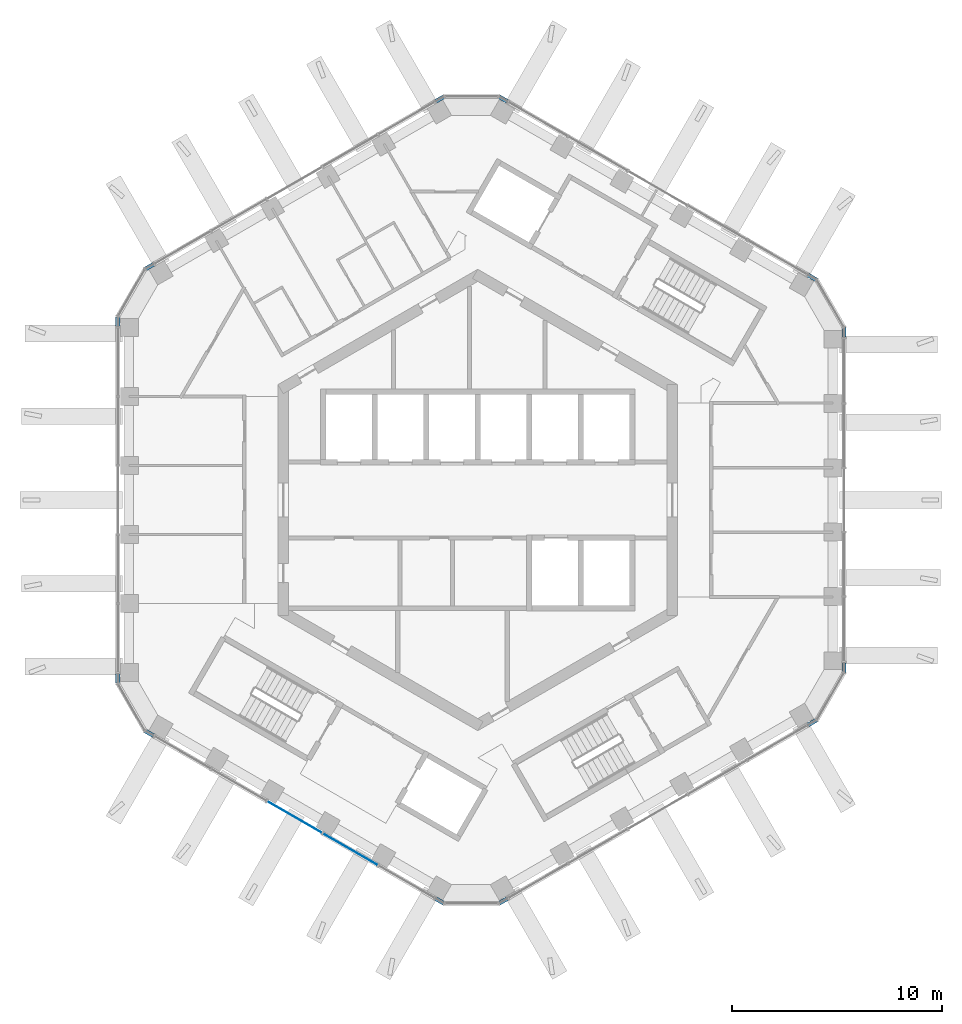
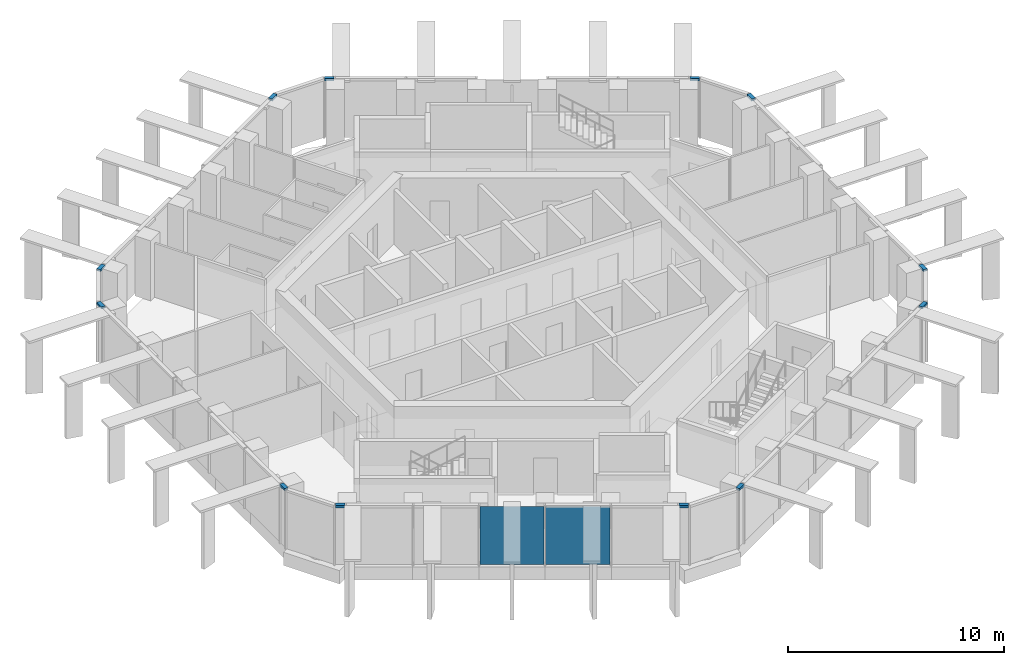
# One storey, part 6 of 19: 12 members, 2 plates, 7 elements without a shape of their own.
"""IFC4 building model written with IfcOpenShell, lengths in metres."""

from ifc_helpers import new_model, si_unit, direction, frame, origin, origin_2d, place, context, subcontext, project, spatial, rectangle, extrude, material, layer, layer_set, material_profile, profile_set, type_object, element, aggregate, save


model = new_model("IFC4")

# Units and contexts
model_context = context("Model", 3, precision=1e-05, world=origin(), true_north=direction((0.0, 1.0)))
body_context = subcontext(model_context, "Body", "Model", "MODEL_VIEW")
ifc_project = project(units=[si_unit("LENGTHUNIT", "METRE"), si_unit("AREAUNIT", "SQUARE_METRE"), si_unit("VOLUMEUNIT", "CUBIC_METRE"), si_unit("PLANEANGLEUNIT", "RADIAN"), si_unit("MASSUNIT", "GRAM", prefix="KILO")], contexts=[model_context])

# Site, building, storey
site_placement = place(None, origin())
site = spatial("IfcSite", under=ifc_project, at=site_placement, CompositionType="ELEMENT")
building_placement = place(site_placement, origin())
building = spatial("IfcBuilding", under=site, at=building_placement, Name="Ayvan Gate Tower", CompositionType="ELEMENT")
storey_placement = place(building_placement, frame((0.0, 0.0, 235.89990234375)))
storey = spatial("IfcBuildingStorey", under=building, at=storey_placement, Name="L63", CompositionType="ELEMENT", Elevation=235.89990234375)

# Curtain wall, members
ifc_material_1 = material(Name="Bronze anodised aluminium", Category="aluminium")
ifc_layer_1 = layer(ifc_material_1, 0.199951171875)
ifc_layer_set_1 = layer_set([ifc_layer_1], Name="Bronze anodised aluminium")
curtain_wall_type_1 = type_object("IfcCurtainWallType", Name="Stick curtain wall CW-6", PredefinedType="NOTDEFINED", material=ifc_layer_set_1)
curtain_wall_1_placement = place(storey_placement, origin())
curtain_wall_1 = element("IfcCurtainWall", 1, at=curtain_wall_1_placement, inside=storey, type_object=curtain_wall_type_1, Name="Stick curtain wall CW-6 L63", PredefinedType="NOTDEFINED")
ifc_material_profile = material_profile(ifc_material_1, rectangle(XDim=0.199951171875, YDim=0.1201171875, at=origin_2d()), Name="Stick curtain wall CW-6 transom 200 x 120")
ifc_profile_set = profile_set([ifc_material_profile], Name="Bronze anodised aluminium")
member_type = type_object("IfcMemberType", Name="Stick curtain wall CW-6 transom 200 x 120", PredefinedType="USERDEFINED", material=ifc_profile_set)
member_1_placement = place(storey_placement, frame((-15.4130859375, 11.20751953125, 3.340087890625), z_axis=(-0.865896406789, -0.500223362819, 0.0), x_axis=(0.500223362819, -0.865896406789, 0.0)))
member_1 = element("IfcMember", 2, at=member_1_placement, type_object=member_type, Name="CW-6 transom 1", ObjectType="TRANSOM", PredefinedType="USERDEFINED", context=body_context, shape_type="SweptSolid", body=[
    extrude(rectangle(XDim=0.199951171875, YDim=0.1201171875, at=origin_2d()), origin(), (0.0, 0.0, 1.0), 0.449951171875),
])
member_2_placement = place(storey_placement, frame((-17.11572265625, 8.70849609375, 3.340087890625), z_axis=(0.0, -1.0, 0.0), x_axis=(1.0, 0.0, 0.0)))
member_2 = element("IfcMember", 3, at=member_2_placement, type_object=member_type, Name="CW-6 transom 3", ObjectType="TRANSOM", PredefinedType="USERDEFINED", context=body_context, shape_type="SweptSolid", body=[
    extrude(rectangle(XDim=0.199951171875, YDim=0.1201171875, at=origin_2d()), origin(), (0.0, 0.0, 1.0), 0.4501953125),
])
aggregate(curtain_wall_1, [member_1, member_2])

curtain_wall_2_placement = place(storey_placement, origin())
curtain_wall_2 = element("IfcCurtainWall", 4, at=curtain_wall_2_placement, inside=storey, type_object=curtain_wall_type_1, Name="Stick curtain wall CW-6 L63", PredefinedType="NOTDEFINED")
member_3_placement = place(storey_placement, frame((-17.11572265625, -8.25830078125, 3.340087890625), z_axis=(0.0, -1.0, 0.0), x_axis=(1.0, 0.0, 0.0)))
member_3 = element("IfcMember", 5, at=member_3_placement, type_object=member_type, Name="CW-6 transom 1", ObjectType="TRANSOM", PredefinedType="USERDEFINED", context=body_context, shape_type="SweptSolid", body=[
    extrude(rectangle(XDim=0.199951171875, YDim=0.1201171875, at=origin_2d()), origin(), (0.0, 0.0, 1.0), 0.4501953125),
])
member_4_placement = place(storey_placement, frame((-15.802734375, -10.982421875, 3.340087890625), z_axis=(0.865896406789, -0.500223362819, 0.0), x_axis=(0.500223362819, 0.865896406789, 0.0)))
member_4 = element("IfcMember", 6, at=member_4_placement, type_object=member_type, Name="CW-6 transom 3", ObjectType="TRANSOM", PredefinedType="USERDEFINED", context=body_context, shape_type="SweptSolid", body=[
    extrude(rectangle(XDim=0.199951171875, YDim=0.1201171875, at=origin_2d()), origin(), (0.0, 0.0, 1.0), 0.449951171875),
])
aggregate(curtain_wall_2, [member_3, member_4])

curtain_wall_3_placement = place(storey_placement, origin())
curtain_wall_3 = element("IfcCurtainWall", 7, at=curtain_wall_3_placement, inside=storey, type_object=curtain_wall_type_1, Name="Stick curtain wall CW-6 L63", PredefinedType="NOTDEFINED")
member_5_placement = place(storey_placement, frame((-1.999267578125, -18.951904296875, 3.340087890625), z_axis=(0.866131372301, -0.499816412211, 0.0), x_axis=(0.499816412211, 0.866131372301, 0.0)))
member_5 = element("IfcMember", 8, at=member_5_placement, type_object=member_type, Name="CW-6 transom 1", ObjectType="TRANSOM", PredefinedType="USERDEFINED", context=body_context, shape_type="SweptSolid", body=[
    extrude(rectangle(XDim=0.199951171875, YDim=0.1201171875, at=origin_2d()), origin(), (0.0, 0.0, 1.0), 0.449951171875),
])
member_6_placement = place(storey_placement, frame((1.01611328125, -19.1767578125, 3.340087890625), z_axis=(0.866266849364, 0.49958157061, 0.0), x_axis=(-0.49958157061, 0.866266849364, 0.0)))
member_6 = element("IfcMember", 9, at=member_6_placement, type_object=member_type, Name="CW-6 transom 3", ObjectType="TRANSOM", PredefinedType="USERDEFINED", context=body_context, shape_type="SweptSolid", body=[
    extrude(rectangle(XDim=0.199951171875, YDim=0.1201171875, at=origin_2d()), origin(), (0.0, 0.0, 1.0), 0.4501953125),
])
aggregate(curtain_wall_3, [member_5, member_6])

curtain_wall_4_placement = place(storey_placement, origin())
curtain_wall_4 = element("IfcCurtainWall", 10, at=curtain_wall_4_placement, inside=storey, type_object=curtain_wall_type_1, Name="Stick curtain wall CW-6 L63", PredefinedType="NOTDEFINED")
member_7_placement = place(storey_placement, frame((15.7099609375, -10.693603515625, 3.340087890625), z_axis=(0.865896406789, 0.500223362819, 0.0), x_axis=(-0.500223362819, 0.865896406789, 0.0)))
member_7 = element("IfcMember", 11, at=member_7_placement, type_object=member_type, Name="CW-6 transom 1", ObjectType="TRANSOM", PredefinedType="USERDEFINED", context=body_context, shape_type="SweptSolid", body=[
    extrude(rectangle(XDim=0.199951171875, YDim=0.1201171875, at=origin_2d()), origin(), (0.0, 0.0, 1.0), 0.449951171875),
])
member_8_placement = place(storey_placement, frame((17.41259765625, -8.1943359375, 3.340087890625), z_axis=(0.0, 1.0, 0.0), x_axis=(-1.0, 0.0, 0.0)))
member_8 = element("IfcMember", 12, at=member_8_placement, type_object=member_type, Name="CW-6 transom 3", ObjectType="TRANSOM", PredefinedType="USERDEFINED", context=body_context, shape_type="SweptSolid", body=[
    extrude(rectangle(XDim=0.199951171875, YDim=0.1201171875, at=origin_2d()), origin(), (0.0, 0.0, 1.0), 0.449951171875),
])
aggregate(curtain_wall_4, [member_7, member_8])

curtain_wall_5_placement = place(storey_placement, origin())
curtain_wall_5 = element("IfcCurtainWall", 13, at=curtain_wall_5_placement, inside=storey, type_object=curtain_wall_type_1, Name="Stick curtain wall CW-6 L63", PredefinedType="NOTDEFINED")
member_9_placement = place(storey_placement, frame((17.41259765625, 7.744384765625, 3.340087890625), z_axis=(0.0, 1.0, 0.0), x_axis=(-1.0, 0.0, 0.0)))
member_9 = element("IfcMember", 14, at=member_9_placement, type_object=member_type, Name="CW-6 transom 1", ObjectType="TRANSOM", PredefinedType="USERDEFINED", context=body_context, shape_type="SweptSolid", body=[
    extrude(rectangle(XDim=0.199951171875, YDim=0.1201171875, at=origin_2d()), origin(), (0.0, 0.0, 1.0), 0.449951171875),
])
member_10_placement = place(storey_placement, frame((16.099609375, 10.468505859375, 3.340087890625), z_axis=(-0.865896406789, 0.500223362819, 0.0), x_axis=(-0.500223362819, -0.865896406789, 0.0)))
member_10 = element("IfcMember", 15, at=member_10_placement, type_object=member_type, Name="CW-6 transom 3", ObjectType="TRANSOM", PredefinedType="USERDEFINED", context=body_context, shape_type="SweptSolid", body=[
    extrude(rectangle(XDim=0.199951171875, YDim=0.1201171875, at=origin_2d()), origin(), (0.0, 0.0, 1.0), 0.449951171875),
])
aggregate(curtain_wall_5, [member_9, member_10])

curtain_wall_6_placement = place(storey_placement, origin())
curtain_wall_6 = element("IfcCurtainWall", 16, at=curtain_wall_6_placement, inside=storey, type_object=curtain_wall_type_1, Name="Stick curtain wall CW-6 L63", PredefinedType="NOTDEFINED")
member_11_placement = place(storey_placement, frame((1.406005859375, 18.951904296875, 3.340087890625), z_axis=(-0.866266849364, 0.49958157061, 0.0), x_axis=(-0.49958157061, -0.866266849364, 0.0)))
member_11 = element("IfcMember", 17, at=member_11_placement, type_object=member_type, Name="CW-6 transom 1", ObjectType="TRANSOM", PredefinedType="USERDEFINED", context=body_context, shape_type="SweptSolid", body=[
    extrude(rectangle(XDim=0.199951171875, YDim=0.1201171875, at=origin_2d()), origin(), (0.0, 0.0, 1.0), 0.4501953125),
])
member_12_placement = place(storey_placement, frame((-1.609619140625, 19.1767578125, 3.340087890625), z_axis=(-0.866131372301, -0.499816412211, 0.0), x_axis=(0.499816412211, -0.866131372301, 0.0)))
member_12 = element("IfcMember", 18, at=member_12_placement, type_object=member_type, Name="CW-6 transom 3", ObjectType="TRANSOM", PredefinedType="USERDEFINED", context=body_context, shape_type="SweptSolid", body=[
    extrude(rectangle(XDim=0.199951171875, YDim=0.1201171875, at=origin_2d()), origin(), (0.0, 0.0, 1.0), 0.449951171875),
])
aggregate(curtain_wall_6, [member_11, member_12])

# Curtain wall, plates
ifc_layer_2 = layer(ifc_material_1, 0.199951171875)
ifc_layer_set_2 = layer_set([ifc_layer_2], Name="Bronze anodised aluminium")
curtain_wall_type_2 = type_object("IfcCurtainWallType", Name="Stick curtain wall CW-2", PredefinedType="NOTDEFINED", material=ifc_layer_set_2)
curtain_wall_7_placement = place(storey_placement, origin())
curtain_wall_7 = element("IfcCurtainWall", 19, at=curtain_wall_7_placement, inside=storey, type_object=curtain_wall_type_2, Name="Stick curtain wall CW-2 L63", PredefinedType="NOTDEFINED")
ifc_material_2 = material(Name="Clear low-iron laminated glass", Category="glass")
ifc_layer_3 = layer(ifc_material_2, 0.028076171875)
ifc_layer_set_3 = layer_set([ifc_layer_3], Name="Clear low-iron laminated glass")
plate_type = type_object("IfcPlateType", Name="Stick curtain wall CW-2 glass panel", PredefinedType="CURTAIN_PANEL", material=ifc_layer_set_3)
plate_1_placement = place(storey_placement, frame((-8.706298828125, -15.07958984375, 0.0), z_axis=(0.0, 0.0, 1.0), x_axis=(0.866025403784, -0.5, 0.0)))
plate_1 = element("IfcPlate", 20, at=plate_1_placement, type_object=plate_type, Name="CW-2 glass panel 3", PredefinedType="CURTAIN_PANEL", context=body_context, shape_type="SweptSolid", body=[
    extrude(rectangle(XDim=2.987060546875, YDim=0.028076171875, at=origin_2d()), origin(), (0.0, 0.0, 1.0), 3.280029296875),
])
plate_2_placement = place(storey_placement, frame((-6.05908203125, -16.60791015625, 0.0), z_axis=(0.0, 0.0, 1.0), x_axis=(0.866025403784, -0.5, 0.0)))
plate_2 = element("IfcPlate", 21, at=plate_2_placement, type_object=plate_type, Name="CW-2 glass panel 4", PredefinedType="CURTAIN_PANEL", context=body_context, shape_type="SweptSolid", body=[
    extrude(rectangle(XDim=2.986083984375, YDim=0.028076171875, at=origin_2d()), origin(), (0.0, 0.0, 1.0), 3.280029296875),
])
aggregate(curtain_wall_7, [plate_1, plate_2])

save(model, "model.ifc")
